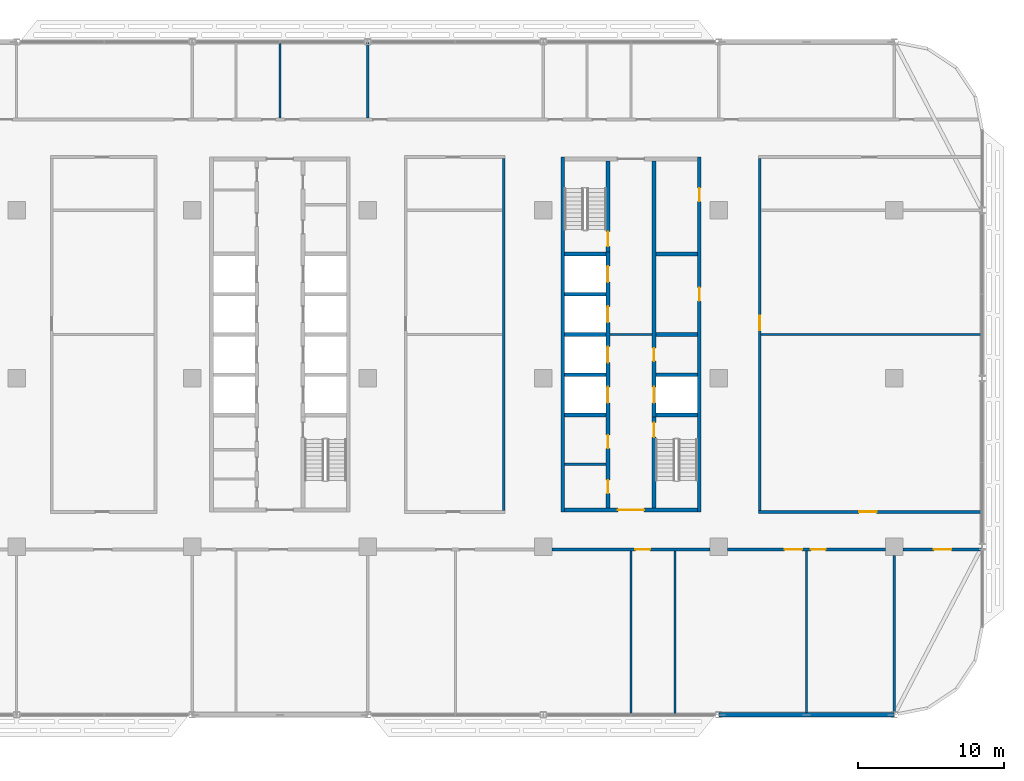
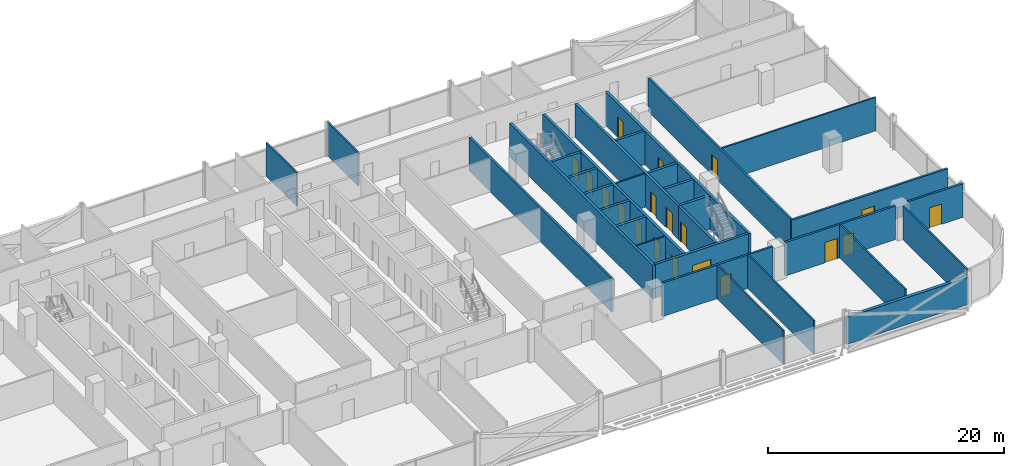
# One storey, part 15 of 27: 32 walls, 19 doors, 19 openings.
"""IFC4 building model written with IfcOpenShell, lengths in metres."""

from ifc_helpers import new_model, si_unit, direction, frame, frame_2d, origin, place, context, subcontext, project, spatial, rectangle, extrude, material, layer, layer_set, type_object, element, fill, save


model = new_model("IFC4")

# Units and contexts
model_context = context("Model", 3, precision=1e-05, world=origin(), true_north=direction((0.0, 1.0)))
body_context = subcontext(model_context, "Body", "Model", "MODEL_VIEW")
ifc_project = project(units=[si_unit("LENGTHUNIT", "METRE"), si_unit("AREAUNIT", "SQUARE_METRE"), si_unit("VOLUMEUNIT", "CUBIC_METRE"), si_unit("PLANEANGLEUNIT", "RADIAN"), si_unit("MASSUNIT", "GRAM", prefix="KILO")], contexts=[model_context])

# Site, building, storey
site_placement = place(None, origin())
site = spatial("IfcSite", under=ifc_project, at=site_placement, CompositionType="ELEMENT")
building_placement = place(site_placement, origin())
building = spatial("IfcBuilding", under=site, at=building_placement, Name="Mahtab Terrace Research Tower", CompositionType="ELEMENT")
storey_placement = place(building_placement, frame((0.0, 0.0, 166.800048828125)))
storey = spatial("IfcBuildingStorey", under=building, at=storey_placement, Name="L39", CompositionType="ELEMENT", Elevation=166.800048828125)

# Walls
ifc_material_1 = material(Name="Gypsum board partition")
ifc_layer_1 = layer(ifc_material_1, 0.14990234375)
ifc_layer_set_1 = layer_set([ifc_layer_1], Name="Core partition 150")
wall_type_1 = type_object("IfcWallType", Name="Core partition 150", PredefinedType="PARTITIONING", material=ifc_layer_set_1)
wall_1_placement = place(storey_placement, frame((22.550048828125, 3.0, 0.0), z_axis=(0.0, 0.0, 1.0), x_axis=(1.0, 0.0, 0.0)))
element("IfcWall", 1, at=wall_1_placement, inside=storey, type_object=wall_type_1, Name="Core wall C ffl", PredefinedType="PARTITIONING", context=body_context, shape_type="SweptSolid", body=[
    extrude(rectangle(XDim=2.89990234375, YDim=0.14990234375, at=frame_2d((1.449951171875, 0.0))), origin(), (0.0, 0.0, 1.0), 3.4599609375),
])
wall_2_placement = place(storey_placement, frame((19.449951171875, -5.875, 0.0), z_axis=(0.0, 0.0, 1.0), x_axis=(1.0, 0.0, 0.0)))
element("IfcWall", 2, at=wall_2_placement, inside=storey, type_object=wall_type_1, Name="Core wall C pWS-888", PredefinedType="PARTITIONING", context=body_context, shape_type="SweptSolid", body=[
    extrude(rectangle(XDim=2.85009765625, YDim=0.14990234375, at=frame_2d((1.425048828125, 0.0))), origin(), (0.0, 0.0, 1.0), 3.4599609375),
])
ifc_material_2 = material(Name="Concrete C70/85", Category="concrete")
ifc_layer_2 = layer(ifc_material_2, 0.25)
ifc_layer_set_2 = layer_set([ifc_layer_2], Name="Core wall 250")
wall_type_2 = type_object("IfcWallType", Name="Core wall 250", PredefinedType="SOLIDWALL", material=ifc_layer_set_2)
wall_3_placement = place(storey_placement, frame((19.324951171875, 15.125, 0.0), z_axis=(0.0, 0.0, 1.0), x_axis=(0.0, -1.0, 0.0)))
element("IfcWall", 3, at=wall_3_placement, inside=storey, type_object=wall_type_2, Name="Core wall C outerW", PredefinedType="SOLIDWALL", context=body_context, shape_type="SweptSolid", body=[
    extrude(rectangle(XDim=24.25, YDim=0.25, at=frame_2d((12.125, 0.0))), origin(), (0.0, 0.0, 1.0), 3.4599609375),
])

# Wall, openings, doors
wall_4_placement = place(storey_placement, frame((28.675048828125, -9.125, 0.0), z_axis=(0.0, 0.0, 1.0), x_axis=(0.0, 1.0, 0.0)))
wall_4 = element("IfcWall", 4, at=wall_4_placement, inside=storey, type_object=wall_type_2, Name="Core wall C outerE", PredefinedType="SOLIDWALL", context=body_context, shape_type="SweptSolid", body=[
    extrude(rectangle(XDim=24.25, YDim=0.25, at=frame_2d((12.125, 0.0))), origin(), (0.0, 0.0, 1.0), 3.4599609375),
])
opening_1_placement = place(wall_4_placement, frame((14.425048828125, 0.0, 0.0)))
opening_1 = element("IfcOpeningElement", 5, at=opening_1_placement, cuts=wall_4, Name="Opening C-R2", PredefinedType="OPENING", context=body_context, shape_type="SweptSolid", body=[
    extrude(rectangle(XDim=0.89990234375, YDim=2.10009765625, at=frame_2d((0.449951171875, 1.050048828125))), frame((0.0, 0.135009765625, 0.0), z_axis=(0.0, -1.0, 0.0), x_axis=(1.0, 0.0, 0.0)), (0.0, 0.0, 1.0), 0.27001953125),
])
opening_2_placement = place(wall_4_placement, frame((21.22509765625, 0.0, 0.0)))
opening_2 = element("IfcOpeningElement", 6, at=opening_2_placement, cuts=wall_4, Name="Opening C-R5", PredefinedType="OPENING", context=body_context, shape_type="SweptSolid", body=[
    extrude(rectangle(XDim=0.89990234375, YDim=2.10009765625, at=frame_2d((0.449951171875, 1.050048828125))), frame((0.0, 0.135009765625, 0.0), z_axis=(0.0, -1.0, 0.0), x_axis=(1.0, 0.0, 0.0)), (0.0, 0.0, 1.0), 0.27001953125),
])
ifc_material_3 = material(Name="Steel fire door", Category="steel")
door_type_1 = type_object("IfcDoorType", Name="Room door 900x2100 1 HR", OperationType="NOTDEFINED", PredefinedType="DOOR", material=ifc_material_3)
door_1_placement = place(opening_1_placement, origin())
door_1 = element("IfcDoor", 7, at=door_1_placement, inside=storey, type_object=door_type_1, Name="Plant room door", OperationType="SINGLE_SWING_RIGHT", OverallHeight=2.10009765625, OverallWidth=0.89990234375, PredefinedType="DOOR", context=body_context, shape_type="SweptSolid", body=[
    extrude(rectangle(XDim=0.89990234375, YDim=2.10009765625, at=frame_2d((0.449951171875, 1.050048828125))), frame((0.0, 0.02490234375, 0.0), z_axis=(0.0, -1.0, 0.0), x_axis=(1.0, 0.0, 0.0)), (0.0, 0.0, 1.0), 0.050048828125),
])
fill(opening_1, door_1)
door_2_placement = place(opening_2_placement, origin())
door_2 = element("IfcDoor", 8, at=door_2_placement, inside=storey, type_object=door_type_1, Name="Gas cylinder store door", OperationType="SINGLE_SWING_LEFT", OverallHeight=2.10009765625, OverallWidth=0.89990234375, PredefinedType="DOOR", context=body_context, shape_type="SweptSolid", body=[
    extrude(rectangle(XDim=0.89990234375, YDim=2.10009765625, at=frame_2d((0.449951171875, 1.050048828125))), frame((0.0, 0.02490234375, 0.0), z_axis=(0.0, -1.0, 0.0), x_axis=(1.0, 0.0, 0.0)), (0.0, 0.0, 1.0), 0.050048828125),
])
fill(opening_2, door_2)

# Wall, opening, door
wall_5_placement = place(storey_placement, frame((28.550048828125, -9.0, 0.0), z_axis=(0.0, 0.0, 1.0), x_axis=(-1.0, 0.0, 0.0)))
wall_5 = element("IfcWall", 9, at=wall_5_placement, inside=storey, type_object=wall_type_2, Name="Core wall C endS", PredefinedType="SOLIDWALL", context=body_context, shape_type="SweptSolid", body=[
    extrude(rectangle(XDim=9.10009765625, YDim=0.25, at=frame_2d((4.550048828125, 0.0))), origin(), (0.0, 0.0, 1.0), 3.4599609375),
])
opening_3_placement = place(wall_5_placement, frame((3.64990234375, 0.0, 0.0)))
opening_3 = element("IfcOpeningElement", 10, at=opening_3_placement, cuts=wall_5, Name="Opening C-S1", PredefinedType="OPENING", context=body_context, shape_type="SweptSolid", body=[
    extrude(rectangle(XDim=1.800048828125, YDim=2.10009765625, at=frame_2d((0.89990234375, 1.050048828125))), frame((0.0, 0.135009765625, 0.0), z_axis=(0.0, -1.0, 0.0), x_axis=(1.0, 0.0, 0.0)), (0.0, 0.0, 1.0), 0.27001953125),
])
door_type_2 = type_object("IfcDoorType", Name="Lobby double door 1800x2100 1 HR", OperationType="DOUBLE_DOOR_SINGLE_SWING", PredefinedType="DOOR", material=ifc_material_3)
door_3_placement = place(opening_3_placement, origin())
door_3 = element("IfcDoor", 11, at=door_3_placement, inside=storey, type_object=door_type_2, Name="Core entrance door C S", OperationType="DOUBLE_DOOR_SINGLE_SWING", OverallHeight=2.10009765625, OverallWidth=1.800048828125, PredefinedType="DOOR", context=body_context, shape_type="SweptSolid", body=[
    extrude(rectangle(XDim=1.800048828125, YDim=2.10009765625, at=frame_2d((0.89990234375, 1.050048828125))), frame((0.0, 0.02490234375, 0.0), z_axis=(0.0, -1.0, 0.0), x_axis=(1.0, 0.0, 0.0)), (0.0, 0.0, 1.0), 0.050048828125),
])
fill(opening_3, door_3)

# Wall, openings, doors
wall_6_placement = place(storey_placement, frame((22.425048828125, -8.875, 0.0), z_axis=(0.0, 0.0, 1.0), x_axis=(0.0, 1.0, 0.0)))
wall_6 = element("IfcWall", 12, at=wall_6_placement, inside=storey, type_object=wall_type_2, Name="Core wall C innerWSL", PredefinedType="SOLIDWALL", context=body_context, shape_type="SweptSolid", body=[
    extrude(rectangle(XDim=17.5, YDim=0.25, at=frame_2d((8.75, 0.0))), origin(), (0.0, 0.0, 1.0), 3.4599609375),
])
opening_4_placement = place(wall_6_placement, frame((7.199951171875, 0.0, 0.0)))
opening_4 = element("IfcOpeningElement", 13, at=opening_4_placement, cuts=wall_6, Name="Opening LD17-L39", PredefinedType="OPENING", context=body_context, shape_type="SweptSolid", body=[
    extrude(rectangle(XDim=1.10009765625, YDim=2.10009765625, at=frame_2d((0.550048828125, 1.050048828125))), frame((0.0, 0.135009765625, 0.0), z_axis=(0.0, -1.0, 0.0), x_axis=(1.0, 0.0, 0.0)), (0.0, 0.0, 1.0), 0.27001953125),
])
opening_5_placement = place(wall_6_placement, frame((9.949951171875, 0.0, 0.0)))
opening_5 = element("IfcOpeningElement", 14, at=opening_5_placement, cuts=wall_6, Name="Opening LD18-L39", PredefinedType="OPENING", context=body_context, shape_type="SweptSolid", body=[
    extrude(rectangle(XDim=1.10009765625, YDim=2.10009765625, at=frame_2d((0.550048828125, 1.050048828125))), frame((0.0, 0.135009765625, 0.0), z_axis=(0.0, -1.0, 0.0), x_axis=(1.0, 0.0, 0.0)), (0.0, 0.0, 1.0), 0.27001953125),
])
opening_6_placement = place(wall_6_placement, frame((12.699951171875, 0.0, 0.0)))
opening_6 = element("IfcOpeningElement", 15, at=opening_6_placement, cuts=wall_6, Name="Opening LD19-L39", PredefinedType="OPENING", context=body_context, shape_type="SweptSolid", body=[
    extrude(rectangle(XDim=1.10009765625, YDim=2.10009765625, at=frame_2d((0.550048828125, 1.050048828125))), frame((0.0, 0.135009765625, 0.0), z_axis=(0.0, -1.0, 0.0), x_axis=(1.0, 0.0, 0.0)), (0.0, 0.0, 1.0), 0.27001953125),
])
opening_7_placement = place(wall_6_placement, frame((15.449951171875, 0.0, 0.0)))
opening_7 = element("IfcOpeningElement", 16, at=opening_7_placement, cuts=wall_6, Name="Opening LD20-L39", PredefinedType="OPENING", context=body_context, shape_type="SweptSolid", body=[
    extrude(rectangle(XDim=1.10009765625, YDim=2.10009765625, at=frame_2d((0.550048828125, 1.050048828125))), frame((0.0, 0.135009765625, 0.0), z_axis=(0.0, -1.0, 0.0), x_axis=(1.0, 0.0, 0.0)), (0.0, 0.0, 1.0), 0.27001953125),
])
opening_8_placement = place(wall_6_placement, frame((1.012451171875, 0.0, 0.0)))
opening_8 = element("IfcOpeningElement", 17, at=opening_8_placement, cuts=wall_6, Name="Opening C-R3", PredefinedType="OPENING", context=body_context, shape_type="SweptSolid", body=[
    extrude(rectangle(XDim=0.89990234375, YDim=2.10009765625, at=frame_2d((0.449951171875, 1.050048828125))), frame((0.0, 0.135009765625, 0.0), z_axis=(0.0, -1.0, 0.0), x_axis=(1.0, 0.0, 0.0)), (0.0, 0.0, 1.0), 0.27001953125),
])
opening_9_placement = place(wall_6_placement, frame((4.08740234375, 0.0, 0.0)))
opening_9 = element("IfcOpeningElement", 18, at=opening_9_placement, cuts=wall_6, Name="Opening C-R4", PredefinedType="OPENING", context=body_context, shape_type="SweptSolid", body=[
    extrude(rectangle(XDim=0.89990234375, YDim=2.10009765625, at=frame_2d((0.449951171875, 1.050048828125))), frame((0.0, 0.135009765625, 0.0), z_axis=(0.0, -1.0, 0.0), x_axis=(1.0, 0.0, 0.0)), (0.0, 0.0, 1.0), 0.27001953125),
])
ifc_material_4 = material(Name="Stainless steel AISI 304", Category="steel")
door_type_3 = type_object("IfcDoorType", Name="Landing door 1100x2100", OperationType="DOUBLE_DOOR_SLIDING", PredefinedType="DOOR", material=ifc_material_4)
door_4_placement = place(opening_4_placement, origin())
door_4 = element("IfcDoor", 19, at=door_4_placement, inside=storey, type_object=door_type_3, Name="Landing door SV1 L39", OperationType="DOUBLE_DOOR_SLIDING", OverallHeight=2.10009765625, OverallWidth=1.10009765625, PredefinedType="DOOR", context=body_context, shape_type="SweptSolid", body=[
    extrude(rectangle(XDim=1.10009765625, YDim=2.10009765625, at=frame_2d((0.550048828125, 1.050048828125))), frame((0.0, 0.02490234375, 0.0), z_axis=(0.0, -1.0, 0.0), x_axis=(1.0, 0.0, 0.0)), (0.0, 0.0, 1.0), 0.050048828125),
])
fill(opening_4, door_4)
door_5_placement = place(opening_5_placement, origin())
door_5 = element("IfcDoor", 20, at=door_5_placement, inside=storey, type_object=door_type_3, Name="Landing door SV2 L39", OperationType="DOUBLE_DOOR_SLIDING", OverallHeight=2.10009765625, OverallWidth=1.10009765625, PredefinedType="DOOR", context=body_context, shape_type="SweptSolid", body=[
    extrude(rectangle(XDim=1.10009765625, YDim=2.10009765625, at=frame_2d((0.550048828125, 1.050048828125))), frame((0.0, 0.02490234375, 0.0), z_axis=(0.0, -1.0, 0.0), x_axis=(1.0, 0.0, 0.0)), (0.0, 0.0, 1.0), 0.050048828125),
])
fill(opening_5, door_5)
door_6_placement = place(opening_6_placement, origin())
door_6 = element("IfcDoor", 21, at=door_6_placement, inside=storey, type_object=door_type_3, Name="Landing door FF1 L39", OperationType="DOUBLE_DOOR_SLIDING", OverallHeight=2.10009765625, OverallWidth=1.10009765625, PredefinedType="DOOR", context=body_context, shape_type="SweptSolid", body=[
    extrude(rectangle(XDim=1.10009765625, YDim=2.10009765625, at=frame_2d((0.550048828125, 1.050048828125))), frame((0.0, 0.02490234375, 0.0), z_axis=(0.0, -1.0, 0.0), x_axis=(1.0, 0.0, 0.0)), (0.0, 0.0, 1.0), 0.050048828125),
])
fill(opening_6, door_6)
door_7_placement = place(opening_7_placement, origin())
door_7 = element("IfcDoor", 22, at=door_7_placement, inside=storey, type_object=door_type_3, Name="Landing door FF2 L39", OperationType="DOUBLE_DOOR_SLIDING", OverallHeight=2.10009765625, OverallWidth=1.10009765625, PredefinedType="DOOR", context=body_context, shape_type="SweptSolid", body=[
    extrude(rectangle(XDim=1.10009765625, YDim=2.10009765625, at=frame_2d((0.550048828125, 1.050048828125))), frame((0.0, 0.02490234375, 0.0), z_axis=(0.0, -1.0, 0.0), x_axis=(1.0, 0.0, 0.0)), (0.0, 0.0, 1.0), 0.050048828125),
])
fill(opening_7, door_7)
door_8_placement = place(opening_8_placement, origin())
door_8 = element("IfcDoor", 23, at=door_8_placement, inside=storey, type_object=door_type_1, Name="Staff WC door", OperationType="SINGLE_SWING_LEFT", OverallHeight=2.10009765625, OverallWidth=0.89990234375, PredefinedType="DOOR", context=body_context, shape_type="SweptSolid", body=[
    extrude(rectangle(XDim=0.89990234375, YDim=2.10009765625, at=frame_2d((0.449951171875, 1.050048828125))), frame((0.0, 0.02490234375, 0.0), z_axis=(0.0, -1.0, 0.0), x_axis=(1.0, 0.0, 0.0)), (0.0, 0.0, 1.0), 0.050048828125),
])
fill(opening_8, door_8)
door_9_placement = place(opening_9_placement, origin())
door_9 = element("IfcDoor", 24, at=door_9_placement, inside=storey, type_object=door_type_1, Name="Accessible WC door", OperationType="SINGLE_SWING_RIGHT", OverallHeight=2.10009765625, OverallWidth=0.89990234375, PredefinedType="DOOR", context=body_context, shape_type="SweptSolid", body=[
    extrude(rectangle(XDim=0.89990234375, YDim=2.10009765625, at=frame_2d((0.449951171875, 1.050048828125))), frame((0.0, 0.02490234375, 0.0), z_axis=(0.0, -1.0, 0.0), x_axis=(1.0, 0.0, 0.0)), (0.0, 0.0, 1.0), 0.050048828125),
])
fill(opening_9, door_9)

# Wall, opening, door
wall_7_placement = place(storey_placement, frame((22.425048828125, 14.875, 0.0), z_axis=(0.0, 0.0, 1.0), x_axis=(0.0, -1.0, 0.0)))
wall_7 = element("IfcWall", 25, at=wall_7_placement, inside=storey, type_object=wall_type_2, Name="Core wall C innerWN", PredefinedType="SOLIDWALL", context=body_context, shape_type="SweptSolid", body=[
    extrude(rectangle(XDim=6.25, YDim=0.25, at=frame_2d((3.125, 0.0))), origin(), (0.0, 0.0, 1.0), 3.4599609375),
])
opening_10_placement = place(wall_7_placement, frame((4.85009765625, 0.0, 0.0)))
opening_10 = element("IfcOpeningElement", 26, at=opening_10_placement, cuts=wall_7, Name="Opening C-ST3", PredefinedType="OPENING", context=body_context, shape_type="SweptSolid", body=[
    extrude(rectangle(XDim=1.0, YDim=2.10009765625, at=frame_2d((0.5, 1.050048828125))), frame((0.0, 0.135009765625, 0.0), z_axis=(0.0, -1.0, 0.0), x_axis=(1.0, 0.0, 0.0)), (0.0, 0.0, 1.0), 0.27001953125),
])
door_type_4 = type_object("IfcDoorType", Name="Stair door 1000x2100 1.5 HR", OperationType="NOTDEFINED", PredefinedType="DOOR", material=ifc_material_3)
door_10_placement = place(opening_10_placement, origin())
door_10 = element("IfcDoor", 27, at=door_10_placement, inside=storey, type_object=door_type_4, Name="Stair door ST3 L39", OperationType="SINGLE_SWING_RIGHT", OverallHeight=2.10009765625, OverallWidth=1.0, PredefinedType="DOOR", context=body_context, shape_type="SweptSolid", body=[
    extrude(rectangle(XDim=1.0, YDim=2.10009765625, at=frame_2d((0.5, 1.050048828125))), frame((0.0, 0.02490234375, 0.0), z_axis=(0.0, -1.0, 0.0), x_axis=(1.0, 0.0, 0.0)), (0.0, 0.0, 1.0), 0.050048828125),
])
fill(opening_10, door_10)

wall_8_placement = place(storey_placement, frame((25.574951171875, -8.875, 0.0), z_axis=(0.0, 0.0, 1.0), x_axis=(0.0, 1.0, 0.0)))
wall_8 = element("IfcWall", 28, at=wall_8_placement, inside=storey, type_object=wall_type_2, Name="Core wall C innerES", PredefinedType="SOLIDWALL", context=body_context, shape_type="SweptSolid", body=[
    extrude(rectangle(XDim=6.25, YDim=0.25, at=frame_2d((3.125, 0.0))), origin(), (0.0, 0.0, 1.0), 3.4599609375),
])
opening_11_placement = place(wall_8_placement, frame((4.85009765625, 0.0, 0.0)))
opening_11 = element("IfcOpeningElement", 29, at=opening_11_placement, cuts=wall_8, Name="Opening C-ST4", PredefinedType="OPENING", context=body_context, shape_type="SweptSolid", body=[
    extrude(rectangle(XDim=1.0, YDim=2.10009765625, at=frame_2d((0.5, 1.050048828125))), frame((0.0, 0.135009765625, 0.0), z_axis=(0.0, -1.0, 0.0), x_axis=(1.0, 0.0, 0.0)), (0.0, 0.0, 1.0), 0.27001953125),
])
door_11_placement = place(opening_11_placement, origin())
door_11 = element("IfcDoor", 30, at=door_11_placement, inside=storey, type_object=door_type_4, Name="Stair door ST4 L39", OperationType="SINGLE_SWING_LEFT", OverallHeight=2.10009765625, OverallWidth=1.0, PredefinedType="DOOR", context=body_context, shape_type="SweptSolid", body=[
    extrude(rectangle(XDim=1.0, YDim=2.10009765625, at=frame_2d((0.5, 1.050048828125))), frame((0.0, 0.02490234375, 0.0), z_axis=(0.0, -1.0, 0.0), x_axis=(1.0, 0.0, 0.0)), (0.0, 0.0, 1.0), 0.050048828125),
])
fill(opening_11, door_11)

# Wall, openings, doors
wall_9_placement = place(storey_placement, frame((25.574951171875, 14.875, 0.0), z_axis=(0.0, 0.0, 1.0), x_axis=(0.0, -1.0, 0.0)))
wall_9 = element("IfcWall", 31, at=wall_9_placement, inside=storey, type_object=wall_type_2, Name="Core wall C innerELN", PredefinedType="SOLIDWALL", context=body_context, shape_type="SweptSolid", body=[
    extrude(rectangle(XDim=17.5, YDim=0.25, at=frame_2d((8.75, 0.0))), origin(), (0.0, 0.0, 1.0), 3.4599609375),
])
opening_12_placement = place(wall_9_placement, frame((15.449951171875, 0.0, 0.0)))
opening_12 = element("IfcOpeningElement", 32, at=opening_12_placement, cuts=wall_9, Name="Opening LD21-L39", PredefinedType="OPENING", context=body_context, shape_type="SweptSolid", body=[
    extrude(rectangle(XDim=1.10009765625, YDim=2.10009765625, at=frame_2d((0.550048828125, 1.050048828125))), frame((0.0, 0.135009765625, 0.0), z_axis=(0.0, -1.0, 0.0), x_axis=(1.0, 0.0, 0.0)), (0.0, 0.0, 1.0), 0.27001953125),
])
opening_13_placement = place(wall_9_placement, frame((12.800048828125, 0.0, 0.0)))
opening_13 = element("IfcOpeningElement", 33, at=opening_13_placement, cuts=wall_9, Name="Opening C-R1", PredefinedType="OPENING", context=body_context, shape_type="SweptSolid", body=[
    extrude(rectangle(XDim=0.89990234375, YDim=2.10009765625, at=frame_2d((0.449951171875, 1.050048828125))), frame((0.0, 0.135009765625, 0.0), z_axis=(0.0, -1.0, 0.0), x_axis=(1.0, 0.0, 0.0)), (0.0, 0.0, 1.0), 0.27001953125),
])
door_12_placement = place(opening_12_placement, origin())
door_12 = element("IfcDoor", 34, at=door_12_placement, inside=storey, type_object=door_type_3, Name="Landing door SV3 L39", OperationType="DOUBLE_DOOR_SLIDING", OverallHeight=2.10009765625, OverallWidth=1.10009765625, PredefinedType="DOOR", context=body_context, shape_type="SweptSolid", body=[
    extrude(rectangle(XDim=1.10009765625, YDim=2.10009765625, at=frame_2d((0.550048828125, 1.050048828125))), frame((0.0, 0.02490234375, 0.0), z_axis=(0.0, -1.0, 0.0), x_axis=(1.0, 0.0, 0.0)), (0.0, 0.0, 1.0), 0.050048828125),
])
fill(opening_12, door_12)
door_13_placement = place(opening_13_placement, origin())
door_13 = element("IfcDoor", 35, at=door_13_placement, inside=storey, type_object=door_type_1, Name="Plant room door", OperationType="SINGLE_SWING_LEFT", OverallHeight=2.10009765625, OverallWidth=0.89990234375, PredefinedType="DOOR", context=body_context, shape_type="SweptSolid", body=[
    extrude(rectangle(XDim=0.89990234375, YDim=2.10009765625, at=frame_2d((0.449951171875, 1.050048828125))), frame((0.0, 0.02490234375, 0.0), z_axis=(0.0, -1.0, 0.0), x_axis=(1.0, 0.0, 0.0)), (0.0, 0.0, 1.0), 0.050048828125),
])
fill(opening_13, door_13)

# Walls
for number, where, z_axis, x_axis, name in (
    (36, (19.449951171875, -2.5, 0.0), (0.0, 0.0, 1.0), (1.0, 0.0, 0.0), "Core wall C divW0"),
    (37, (19.449951171875, 0.25, 0.0), (0.0, 0.0, 1.0), (1.0, 0.0, 0.0), "Core wall C divW1"),
    (38, (19.449951171875, 3.0, 0.0), (0.0, 0.0, 1.0), (1.0, 0.0, 0.0), "Core wall C divW2"),
    (39, (19.449951171875, 5.75, 0.0), (0.0, 0.0, 1.0), (1.0, 0.0, 0.0), "Core wall C divW3"),
    (40, (19.449951171875, 8.5, 0.0), (0.0, 0.0, 1.0), (1.0, 0.0, 0.0), "Core wall C divW4"),
    (41, (25.699951171875, -2.5, 0.0), (0.0, 0.0, 1.0), (1.0, 0.0, 0.0), "Core wall C divE0"),
    (42, (25.699951171875, 0.25, 0.0), (0.0, 0.0, 1.0), (1.0, 0.0, 0.0), "Core wall C divE1"),
    (43, (25.699951171875, 3.0, 0.0), (0.0, 0.0, 1.0), (1.0, 0.0, 0.0), "Core wall C divE2"),
    (44, (25.699951171875, 8.5, 0.0), (0.0, 0.0, 1.0), (1.0, 0.0, 0.0), "Core wall C divE4"),
):
    element("IfcWall", number, at=place(storey_placement, frame(where, z_axis=z_axis, x_axis=x_axis)), inside=storey, type_object=wall_type_2, Name=name, PredefinedType="SOLIDWALL", context=body_context, shape_type="SweptSolid", body=[
        extrude(rectangle(XDim=2.85009765625, YDim=0.25, at=frame_2d((1.425048828125, 0.0))), origin(), (0.0, 0.0, 1.0), 3.4599609375),
    ])
ifc_material_5 = material(Name="Black aluminium cladding panel", Category="aluminium")
ifc_layer_3 = layer(ifc_material_5, 0.300048828125)
ifc_layer_set_3 = layer_set([ifc_layer_3], Name="Opaque facade wall 300")
wall_type_3 = type_object("IfcWallType", Name="Opaque facade wall 300", PredefinedType="NOTDEFINED", material=ifc_layer_set_3)
wall_10_placement = place(storey_placement, frame((30.014892578125, -23.0, 0.0), z_axis=(0.0, 0.0, 1.0), x_axis=(1.0, 0.0, 0.0)))
element("IfcWall", 45, at=wall_10_placement, inside=storey, type_object=wall_type_3, Name="Opaque facade wall L39 S29", PredefinedType="NOTDEFINED", context=body_context, shape_type="SweptSolid", body=[
    extrude(rectangle(XDim=11.97021484375, YDim=0.300048828125, at=frame_2d((5.985107421875, 0.0))), origin(), (0.0, 0.0, 1.0), 2.78173828125),
])

# Wall, opening, door
ifc_material_6 = material(Name="Gypsum board corridor wall on steel studs", Category="steel")
ifc_layer_4 = layer(ifc_material_6, 0.199951171875)
ifc_layer_set_4 = layer_set([ifc_layer_4], Name="WALL CORRIDOR 200")
wall_type_4 = type_object("IfcWallType", Name="WALL CORRIDOR 200", PredefinedType="PARTITIONING", material=ifc_layer_set_4)
wall_11_placement = place(storey_placement, frame((18.60009765625, -11.699951171875, 0.0), z_axis=(0.0, 0.0, 1.0), x_axis=(1.0, 0.0, 0.0)))
wall_11 = element("IfcWall", 46, at=wall_11_placement, inside=storey, type_object=wall_type_4, Name="L39-W007", PredefinedType="PARTITIONING", context=body_context, shape_type="SweptSolid", body=[
    extrude(rectangle(XDim=10.7998046875, YDim=0.199951171875, at=frame_2d((5.39990234375, 0.0))), origin(), (0.0, 0.0, 1.0), 3.4599609375),
])
opening_14_placement = place(wall_11_placement, frame((5.699951171875, 0.0, 0.0)))
opening_14 = element("IfcOpeningElement", 47, at=opening_14_placement, cuts=wall_11, Name="Opening L39-110", PredefinedType="OPENING", context=body_context, shape_type="SweptSolid", body=[
    extrude(rectangle(XDim=1.0, YDim=2.10009765625, at=frame_2d((0.5, 1.050048828125))), frame((0.0, 0.10986328125, 0.0), z_axis=(0.0, -1.0, 0.0), x_axis=(1.0, 0.0, 0.0)), (0.0, 0.0, 1.0), 0.219970703125),
])
ifc_material_7 = material(Name="Timber door leaf in steel frame", Category="steel")
door_type_5 = type_object("IfcDoorType", Name="DOOR 1000X2100 FD30S", OperationType="SINGLE_SWING_LEFT", PredefinedType="DOOR", material=ifc_material_7)
door_14_placement = place(opening_14_placement, origin())
door_14 = element("IfcDoor", 48, at=door_14_placement, inside=storey, type_object=door_type_5, Name="Door L39-110", OperationType="SINGLE_SWING_LEFT", OverallHeight=2.10009765625, OverallWidth=1.0, PredefinedType="DOOR", context=body_context, shape_type="SweptSolid", body=[
    extrude(rectangle(XDim=1.0, YDim=2.10009765625, at=frame_2d((0.5, 1.050048828125))), frame((0.0, 0.02490234375, 0.0), z_axis=(0.0, -1.0, 0.0), x_axis=(1.0, 0.0, 0.0)), (0.0, 0.0, 1.0), 0.050048828125),
])
fill(opening_14, door_14)

# Wall, openings, doors
wall_12_placement = place(storey_placement, frame((30.60009765625, -11.699951171875, 0.0), z_axis=(0.0, 0.0, 1.0), x_axis=(1.0, 0.0, 0.0)))
wall_12 = element("IfcWall", 49, at=wall_12_placement, inside=storey, type_object=wall_type_4, Name="L39-W008", PredefinedType="PARTITIONING", context=body_context, shape_type="SweptSolid", body=[
    extrude(rectangle(XDim=10.7998046875, YDim=0.199951171875, at=frame_2d((5.39990234375, 0.0))), origin(), (0.0, 0.0, 1.0), 3.4599609375),
])
opening_15_placement = place(wall_12_placement, frame((3.89990234375, 0.0, 0.0)))
opening_15 = element("IfcOpeningElement", 50, at=opening_15_placement, cuts=wall_12, Name="Opening L39-111", PredefinedType="OPENING", context=body_context, shape_type="SweptSolid", body=[
    extrude(rectangle(XDim=1.199951171875, YDim=2.10009765625, at=frame_2d((0.60009765625, 1.050048828125))), frame((0.0, 0.10986328125, 0.0), z_axis=(0.0, -1.0, 0.0), x_axis=(1.0, 0.0, 0.0)), (0.0, 0.0, 1.0), 0.219970703125),
])
opening_16_placement = place(wall_12_placement, frame((5.699951171875, 0.0, 0.0)))
opening_16 = element("IfcOpeningElement", 51, at=opening_16_placement, cuts=wall_12, Name="Opening L39-112", PredefinedType="OPENING", context=body_context, shape_type="SweptSolid", body=[
    extrude(rectangle(XDim=1.0, YDim=2.10009765625, at=frame_2d((0.5, 1.050048828125))), frame((0.0, 0.10986328125, 0.0), z_axis=(0.0, -1.0, 0.0), x_axis=(1.0, 0.0, 0.0)), (0.0, 0.0, 1.0), 0.219970703125),
])
door_15_placement = place(opening_16_placement, origin())
door_15 = element("IfcDoor", 52, at=door_15_placement, inside=storey, type_object=door_type_5, Name="Door L39-112", OperationType="SINGLE_SWING_LEFT", OverallHeight=2.10009765625, OverallWidth=1.0, PredefinedType="DOOR", context=body_context, shape_type="SweptSolid", body=[
    extrude(rectangle(XDim=1.0, YDim=2.10009765625, at=frame_2d((0.5, 1.050048828125))), frame((0.0, 0.02490234375, 0.0), z_axis=(0.0, -1.0, 0.0), x_axis=(1.0, 0.0, 0.0)), (0.0, 0.0, 1.0), 0.050048828125),
])
fill(opening_16, door_15)
door_type_6 = type_object("IfcDoorType", Name="DOOR 1200X2100 FD30S", OperationType="SINGLE_SWING_LEFT", PredefinedType="DOOR", material=ifc_material_7)
door_16_placement = place(opening_15_placement, origin())
door_16 = element("IfcDoor", 53, at=door_16_placement, inside=storey, type_object=door_type_6, Name="Door L39-111", OperationType="SINGLE_SWING_RIGHT", OverallHeight=2.10009765625, OverallWidth=1.199951171875, PredefinedType="DOOR", context=body_context, shape_type="SweptSolid", body=[
    extrude(rectangle(XDim=1.199951171875, YDim=2.10009765625, at=frame_2d((0.60009765625, 1.050048828125))), frame((0.0, 0.02490234375, 0.0), z_axis=(0.0, -1.0, 0.0), x_axis=(1.0, 0.0, 0.0)), (0.0, 0.0, 1.0), 0.050048828125),
])
fill(opening_15, door_16)

# Wall, opening, door
wall_13_placement = place(storey_placement, frame((42.60009765625, -11.699951171875, 0.0), z_axis=(0.0, 0.0, 1.0), x_axis=(1.0, 0.0, 0.0)))
wall_13 = element("IfcWall", 54, at=wall_13_placement, inside=storey, type_object=wall_type_4, Name="L39-W009", PredefinedType="PARTITIONING", context=body_context, shape_type="SweptSolid", body=[
    extrude(rectangle(XDim=5.375, YDim=0.199951171875, at=frame_2d((2.6875, 0.0))), origin(), (0.0, 0.0, 1.0), 3.4599609375),
])
opening_17_placement = place(wall_13_placement, frame((2.10009765625, 0.0, 0.0)))
opening_17 = element("IfcOpeningElement", 55, at=opening_17_placement, cuts=wall_13, Name="Opening L39-113", PredefinedType="OPENING", context=body_context, shape_type="SweptSolid", body=[
    extrude(rectangle(XDim=1.199951171875, YDim=2.10009765625, at=frame_2d((0.60009765625, 1.050048828125))), frame((0.0, 0.10986328125, 0.0), z_axis=(0.0, -1.0, 0.0), x_axis=(1.0, 0.0, 0.0)), (0.0, 0.0, 1.0), 0.219970703125),
])
door_17_placement = place(opening_17_placement, origin())
door_17 = element("IfcDoor", 56, at=door_17_placement, inside=storey, type_object=door_type_6, Name="Door L39-113", OperationType="SINGLE_SWING_LEFT", OverallHeight=2.10009765625, OverallWidth=1.199951171875, PredefinedType="DOOR", context=body_context, shape_type="SweptSolid", body=[
    extrude(rectangle(XDim=1.199951171875, YDim=2.10009765625, at=frame_2d((0.60009765625, 1.050048828125))), frame((0.0, 0.02490234375, 0.0), z_axis=(0.0, -1.0, 0.0), x_axis=(1.0, 0.0, 0.0)), (0.0, 0.0, 1.0), 0.050048828125),
])
fill(opening_17, door_17)

wall_14_placement = place(storey_placement, frame((32.699951171875, -9.125, 0.0), z_axis=(0.0, 0.0, 1.0), x_axis=(1.0, 0.0, 0.0)))
wall_14 = element("IfcWall", 57, at=wall_14_placement, inside=storey, type_object=wall_type_4, Name="L39-W013", PredefinedType="PARTITIONING", context=body_context, shape_type="SweptSolid", body=[
    extrude(rectangle(XDim=15.275146484375, YDim=0.199951171875, at=frame_2d((7.6376953125, 0.0))), origin(), (0.0, 0.0, 1.0), 3.4599609375),
])
opening_18_placement = place(wall_14_placement, frame((6.89990234375, 0.0, 0.0)))
opening_18 = element("IfcOpeningElement", 58, at=opening_18_placement, cuts=wall_14, Name="Opening L39-117", PredefinedType="OPENING", context=body_context, shape_type="SweptSolid", body=[
    extrude(rectangle(XDim=1.199951171875, YDim=2.10009765625, at=frame_2d((0.60009765625, 1.050048828125))), frame((0.0, 0.10986328125, 0.0), z_axis=(0.0, -1.0, 0.0), x_axis=(1.0, 0.0, 0.0)), (0.0, 0.0, 1.0), 0.219970703125),
])
door_18_placement = place(opening_18_placement, origin())
door_18 = element("IfcDoor", 59, at=door_18_placement, inside=storey, type_object=door_type_6, Name="Door L39-117", OperationType="SINGLE_SWING_LEFT", OverallHeight=2.10009765625, OverallWidth=1.199951171875, PredefinedType="DOOR", context=body_context, shape_type="SweptSolid", body=[
    extrude(rectangle(XDim=1.199951171875, YDim=2.10009765625, at=frame_2d((0.60009765625, 1.050048828125))), frame((0.0, 0.02490234375, 0.0), z_axis=(0.0, -1.0, 0.0), x_axis=(1.0, 0.0, 0.0)), (0.0, 0.0, 1.0), 0.050048828125),
])
fill(opening_18, door_18)

# Wall
wall_15_placement = place(storey_placement, frame((15.300048828125, -9.02490234375, 0.0), z_axis=(0.0, 0.0, 1.0), x_axis=(0.0, 1.0, 0.0)))
element("IfcWall", 60, at=wall_15_placement, inside=storey, type_object=wall_type_4, Name="L39-W050", PredefinedType="PARTITIONING", context=body_context, shape_type="SweptSolid", body=[
    extrude(rectangle(XDim=24.0498046875, YDim=0.199951171875, at=frame_2d((12.02490234375, 0.0))), origin(), (0.0, 0.0, 1.0), 3.4599609375),
])

# Wall, opening, door
wall_16_placement = place(storey_placement, frame((32.800048828125, -9.02490234375, 0.0), z_axis=(0.0, 0.0, 1.0), x_axis=(0.0, 1.0, 0.0)))
wall_16 = element("IfcWall", 61, at=wall_16_placement, inside=storey, type_object=wall_type_4, Name="L39-W057", PredefinedType="PARTITIONING", context=body_context, shape_type="SweptSolid", body=[
    extrude(rectangle(XDim=24.0498046875, YDim=0.199951171875, at=frame_2d((12.02490234375, 0.0))), origin(), (0.0, 0.0, 1.0), 3.4599609375),
])
opening_19_placement = place(wall_16_placement, frame((12.300048828125, 0.0, 0.0)))
opening_19 = element("IfcOpeningElement", 62, at=opening_19_placement, cuts=wall_16, Name="Opening L39-121", PredefinedType="OPENING", context=body_context, shape_type="SweptSolid", body=[
    extrude(rectangle(XDim=1.0, YDim=2.10009765625, at=frame_2d((0.5, 1.050048828125))), frame((0.0, 0.10986328125, 0.0), z_axis=(0.0, -1.0, 0.0), x_axis=(1.0, 0.0, 0.0)), (0.0, 0.0, 1.0), 0.219970703125),
])
door_19_placement = place(opening_19_placement, origin())
door_19 = element("IfcDoor", 63, at=door_19_placement, inside=storey, type_object=door_type_5, Name="Door L39-121", OperationType="SINGLE_SWING_LEFT", OverallHeight=2.10009765625, OverallWidth=1.0, PredefinedType="DOOR", context=body_context, shape_type="SweptSolid", body=[
    extrude(rectangle(XDim=1.0, YDim=2.10009765625, at=frame_2d((0.5, 1.050048828125))), frame((0.0, 0.02490234375, 0.0), z_axis=(0.0, -1.0, 0.0), x_axis=(1.0, 0.0, 0.0)), (0.0, 0.0, 1.0), 0.050048828125),
])
fill(opening_19, door_19)

# Walls
ifc_material_8 = material(Name="Gypsum board partition on steel studs", Category="steel")
ifc_layer_5 = layer(ifc_material_8, 0.14990234375)
ifc_layer_set_5 = layer_set([ifc_layer_5], Name="WALL PARTITION 150")
wall_type_5 = type_object("IfcWallType", Name="WALL PARTITION 150", PredefinedType="PARTITIONING", material=ifc_layer_set_5)
wall_17_placement = place(storey_placement, frame((32.89990234375, 3.0, 0.0), z_axis=(0.0, 0.0, 1.0), x_axis=(1.0, 0.0, 0.0)))
element("IfcWall", 64, at=wall_17_placement, inside=storey, type_object=wall_type_5, Name="L39-W017", PredefinedType="PARTITIONING", context=body_context, shape_type="SweptSolid", body=[
    extrude(rectangle(XDim=15.0751953125, YDim=0.14990234375, at=frame_2d((7.53759765625, 0.0))), origin(), (0.0, 0.0, 1.0), 3.4599609375),
])
for number, where, z_axis, x_axis, name in (
    (65, (0.0, 17.800048828125, 0.0), (0.0, 0.0, 1.0), (0.0, 1.0, 0.0), "L39-W045"),
    (66, (6.0, 17.800048828125, 0.0), (0.0, 0.0, 1.0), (0.0, 1.0, 0.0), "L39-W047"),
):
    element("IfcWall", number, at=place(storey_placement, frame(where, z_axis=z_axis, x_axis=x_axis)), inside=storey, type_object=wall_type_5, Name=name, PredefinedType="PARTITIONING", context=body_context, shape_type="SweptSolid", body=[
        extrude(rectangle(XDim=5.175048828125, YDim=0.14990234375, at=frame_2d((2.58740234375, 0.0))), origin(), (0.0, 0.0, 1.0), 3.4599609375),
    ])
for number, where, z_axis, x_axis, name in (
    (67, (24.0, -22.97509765625, 0.0), (0.0, 0.0, 1.0), (0.0, 1.0, 0.0), "L39-W053"),
    (68, (27.0, -22.97509765625, 0.0), (0.0, 0.0, 1.0), (0.0, 1.0, 0.0), "L39-W055"),
):
    element("IfcWall", number, at=place(storey_placement, frame(where, z_axis=z_axis, x_axis=x_axis)), inside=storey, type_object=wall_type_5, Name=name, PredefinedType="PARTITIONING", context=body_context, shape_type="SweptSolid", body=[
        extrude(rectangle(XDim=11.175048828125, YDim=0.14990234375, at=frame_2d((5.58740234375, 0.0))), origin(), (0.0, 0.0, 1.0), 3.4599609375),
    ])
wall_18_placement = place(storey_placement, frame((36.0, -22.85009765625, 0.0), z_axis=(0.0, 0.0, 1.0), x_axis=(0.0, 1.0, 0.0)))
element("IfcWall", 69, at=wall_18_placement, inside=storey, type_object=wall_type_5, Name="L39-W058", PredefinedType="PARTITIONING", context=body_context, shape_type="SweptSolid", body=[
    extrude(rectangle(XDim=11.050048828125, YDim=0.14990234375, at=frame_2d((5.52490234375, 0.0))), origin(), (0.0, 0.0, 1.0), 3.4599609375),
])
wall_19_placement = place(storey_placement, frame((42.0, -22.84716796875, 0.0), z_axis=(0.0, 0.0, 1.0), x_axis=(0.0, 1.0, 0.0)))
element("IfcWall", 70, at=wall_19_placement, inside=storey, type_object=wall_type_5, Name="L39-W059", PredefinedType="PARTITIONING", context=body_context, shape_type="SweptSolid", body=[
    extrude(rectangle(XDim=10.7470703125, YDim=0.14990234375, at=frame_2d((5.37353515625, 0.0))), origin(), (0.0, 0.0, 1.0), 3.4599609375),
])

save(model, "model.ifc")
